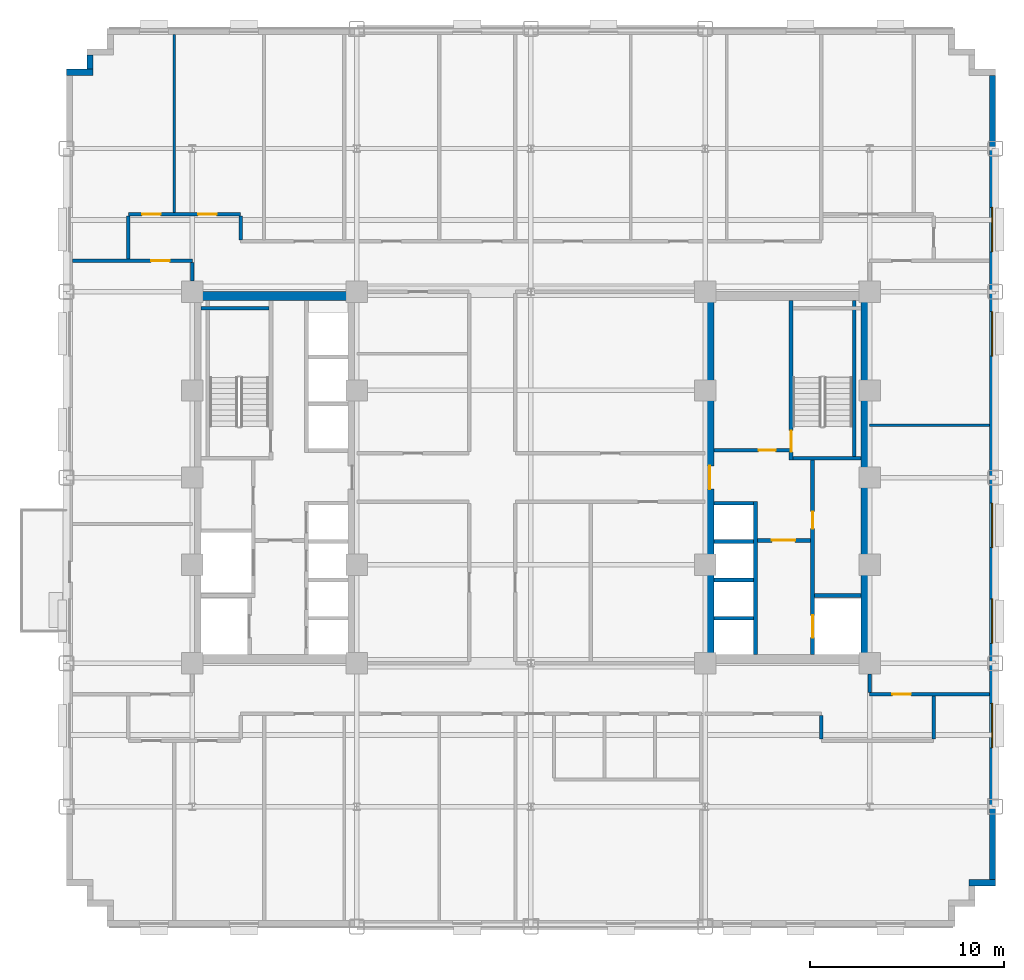
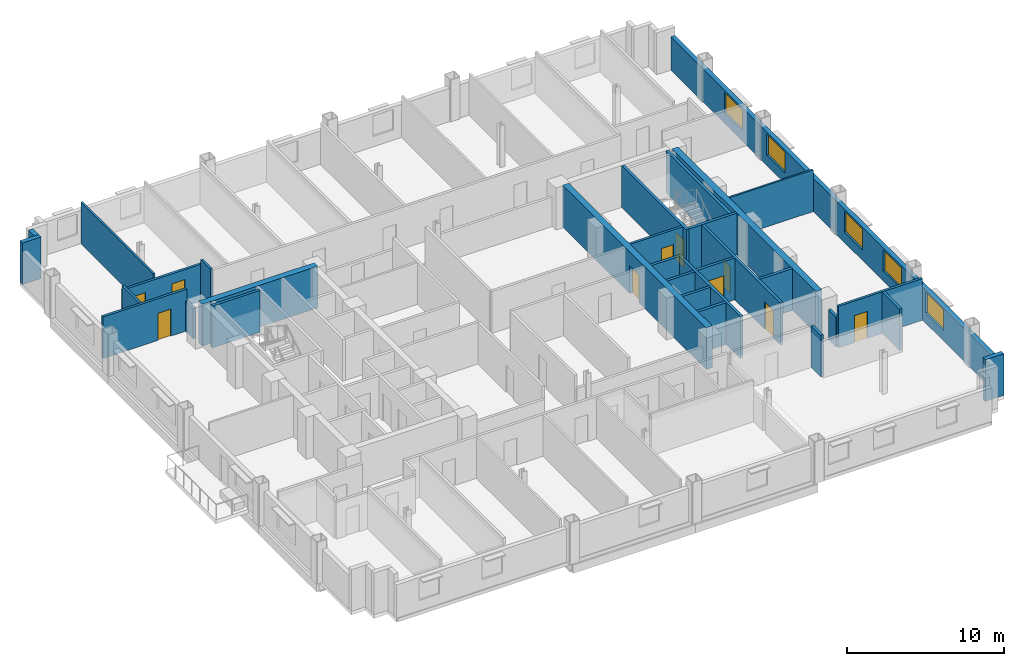
# One storey, part 8 of 14: 31 walls, 10 doors, 5 windows, 15 openings.
"""IFC4 building model written with IfcOpenShell, lengths in metres."""

from ifc_helpers import new_model, si_unit, direction, frame, frame_2d, origin, place, context, subcontext, project, spatial, rectangle, extrude, source, transform, mapped, material, layer, layer_set, type_object, type_shapes, element, fill, save


model = new_model("IFC4")

# Units and contexts
model_context = context("Model", 3, precision=1e-05, world=origin(), true_north=direction((0.0, 1.0)))
body_context = subcontext(model_context, "Body", "Model", "MODEL_VIEW")
ifc_project = project(units=[si_unit("LENGTHUNIT", "METRE"), si_unit("AREAUNIT", "SQUARE_METRE"), si_unit("VOLUMEUNIT", "CUBIC_METRE"), si_unit("PLANEANGLEUNIT", "RADIAN"), si_unit("MASSUNIT", "GRAM", prefix="KILO")], contexts=[model_context])

# Site, building, storey
site_placement = place(None, origin())
site = spatial("IfcSite", under=ifc_project, at=site_placement, CompositionType="ELEMENT")
building_placement = place(site_placement, origin())
building = spatial("IfcBuilding", under=site, at=building_placement, Name="Nuvemarco Arch Tower", CompositionType="ELEMENT")
storey_placement = place(building_placement, frame((0.0, 0.0, 89.64990234375)))
storey = spatial("IfcBuildingStorey", under=building, at=storey_placement, Name="L23", CompositionType="ELEMENT", Elevation=89.64990234375)

# Wall
ifc_material_1 = material(Name="Precast concrete C45/55", Category="concrete")
ifc_layer_1 = layer(ifc_material_1, 0.320068359375, Name="EW-MID-320")
ifc_layer_set_1 = layer_set([ifc_layer_1], Name="Precast concrete C45/55")
wall_type_1 = type_object("IfcWallType", Name="EW-MID-320", PredefinedType="STANDARD", material=ifc_layer_set_1)
wall_1_placement = place(storey_placement, frame((22.6298828125, -20.93994140625, 0.0), z_axis=(0.0, 0.0, 1.0), x_axis=(1.0, 0.0, 0.0)))
element("IfcWall", 1, at=wall_1_placement, inside=storey, type_object=wall_type_1, Name="L23 exterior precast facade wall 5", PredefinedType="STANDARD", context=body_context, shape_type="SweptSolid", body=[
    extrude(rectangle(XDim=1.3701171875, YDim=0.320068359375, at=frame_2d((0.68505859375, 0.0))), origin(), (0.0, 0.0, 1.0), 3.239990234375),
])

# Wall, openings, windows
wall_2_placement = place(storey_placement, frame((23.840087890625, -20.783935546875, 0.0), z_axis=(0.0, 0.0, 1.0), x_axis=(0.0, 1.0, 0.0)))
wall_2 = element("IfcWall", 2, at=wall_2_placement, inside=storey, type_object=wall_type_1, Name="L23 exterior precast facade wall 6", PredefinedType="STANDARD", context=body_context, shape_type="SweptSolid", body=[
    extrude(rectangle(XDim=41.56787109375, YDim=0.320068359375, at=frame_2d((20.783935546875, 0.0))), origin(), (0.0, 0.0, 1.0), 2.585205078125),
])
opening_1_placement = place(wall_2_placement, frame((6.819091796875, 0.0, 0.800048828125)))
opening_1 = element("IfcOpeningElement", 3, at=opening_1_placement, cuts=wall_2, Name="Opening WN-10", PredefinedType="OPENING", context=body_context, shape_type="SweptSolid", body=[
    extrude(rectangle(XDim=2.300048828125, YDim=1.6201171875, at=frame_2d((1.14990234375, 0.81005859375))), frame((0.0, 0.169921875, 0.0), z_axis=(0.0, -1.0, 0.0), x_axis=(1.0, 0.0, 0.0)), (0.0, 0.0, 1.0), 0.340087890625),
])
opening_2_placement = place(wall_2_placement, frame((12.215087890625, 0.0, 0.800048828125)))
opening_2 = element("IfcOpeningElement", 4, at=opening_2_placement, cuts=wall_2, Name="Opening WN-10", PredefinedType="OPENING", context=body_context, shape_type="SweptSolid", body=[
    extrude(rectangle(XDim=2.300048828125, YDim=1.6201171875, at=frame_2d((1.14990234375, 0.81005859375))), frame((0.0, 0.169921875, 0.0), z_axis=(0.0, -1.0, 0.0), x_axis=(1.0, 0.0, 0.0)), (0.0, 0.0, 1.0), 0.340087890625),
])
opening_3_placement = place(wall_2_placement, frame((17.160888671875, 0.0, 0.800048828125)))
opening_3 = element("IfcOpeningElement", 5, at=opening_3_placement, cuts=wall_2, Name="Opening WN-10", PredefinedType="OPENING", context=body_context, shape_type="SweptSolid", body=[
    extrude(rectangle(XDim=2.300048828125, YDim=1.6201171875, at=frame_2d((1.14990234375, 0.81005859375))), frame((0.0, 0.169921875, 0.0), z_axis=(0.0, -1.0, 0.0), x_axis=(1.0, 0.0, 0.0)), (0.0, 0.0, 1.0), 0.340087890625),
])
opening_4_placement = place(wall_2_placement, frame((27.052978515625, 0.0, 0.800048828125)))
opening_4 = element("IfcOpeningElement", 6, at=opening_4_placement, cuts=wall_2, Name="Opening WN-10", PredefinedType="OPENING", context=body_context, shape_type="SweptSolid", body=[
    extrude(rectangle(XDim=2.300048828125, YDim=1.6201171875, at=frame_2d((1.14990234375, 0.81005859375))), frame((0.0, 0.169921875, 0.0), z_axis=(0.0, -1.0, 0.0), x_axis=(1.0, 0.0, 0.0)), (0.0, 0.0, 1.0), 0.340087890625),
])
opening_5_placement = place(wall_2_placement, frame((32.448974609375, 0.0, 0.800048828125)))
opening_5 = element("IfcOpeningElement", 7, at=opening_5_placement, cuts=wall_2, Name="Opening WN-10", PredefinedType="OPENING", context=body_context, shape_type="SweptSolid", body=[
    extrude(rectangle(XDim=2.300048828125, YDim=1.6201171875, at=frame_2d((1.14990234375, 0.81005859375))), frame((0.0, 0.169921875, 0.0), z_axis=(0.0, -1.0, 0.0), x_axis=(1.0, 0.0, 0.0)), (0.0, 0.0, 1.0), 0.340087890625),
])
ifc_material_2 = material(Name="Insulated solar-control glass", Category="glass")
window_type = type_object("IfcWindowType", Name="WN-STEP-2300x1700", PartitioningType="DOUBLE_PANEL_VERTICAL", PredefinedType="WINDOW", material=ifc_material_2)
shared_shape_1 = source(origin(), body_context, "Body", "SweptSolid", [
    extrude(rectangle(XDim=2.300048828125, YDim=1.6201171875, at=frame_2d((1.14990234375, 0.81005859375))), frame((0.0, 0.030029296875, 0.0), z_axis=(0.0, -1.0, 0.0), x_axis=(1.0, 0.0, 0.0)), (0.0, 0.0, 1.0), 0.06005859375),
])
type_shapes(window_type, [shared_shape_1])
window_1_placement = place(opening_1_placement, origin())
window_1 = element("IfcWindow", 8, at=window_1_placement, inside=storey, type_object=window_type, Name="L23 punched facade window 2", OverallHeight=1.6201171875, OverallWidth=2.300048828125, PartitioningType="SINGLE_PANEL", PredefinedType="WINDOW", context=body_context, shape_type="MappedRepresentation", body=[
    mapped(shared_shape_1, transform((0.0, 0.0, 0.0), scale=1.0)),
])
fill(opening_1, window_1)
window_2_placement = place(opening_2_placement, origin())
window_2 = element("IfcWindow", 9, at=window_2_placement, inside=storey, type_object=window_type, Name="L23 punched facade window 3", OverallHeight=1.6201171875, OverallWidth=2.300048828125, PartitioningType="SINGLE_PANEL", PredefinedType="WINDOW", context=body_context, shape_type="MappedRepresentation", body=[
    mapped(shared_shape_1, transform((0.0, 0.0, 0.0), scale=1.0)),
])
fill(opening_2, window_2)
window_3_placement = place(opening_3_placement, origin())
window_3 = element("IfcWindow", 10, at=window_3_placement, inside=storey, type_object=window_type, Name="L23 punched facade window 4", OverallHeight=1.6201171875, OverallWidth=2.300048828125, PartitioningType="SINGLE_PANEL", PredefinedType="WINDOW", context=body_context, shape_type="MappedRepresentation", body=[
    mapped(shared_shape_1, transform((0.0, 0.0, 0.0), scale=1.0)),
])
fill(opening_3, window_3)
window_4_placement = place(opening_4_placement, origin())
window_4 = element("IfcWindow", 11, at=window_4_placement, inside=storey, type_object=window_type, Name="L23 punched facade window 6", OverallHeight=1.6201171875, OverallWidth=2.300048828125, PartitioningType="SINGLE_PANEL", PredefinedType="WINDOW", context=body_context, shape_type="MappedRepresentation", body=[
    mapped(shared_shape_1, transform((0.0, 0.0, 0.0), scale=1.0)),
])
fill(opening_4, window_4)
window_5_placement = place(opening_5_placement, origin())
window_5 = element("IfcWindow", 12, at=window_5_placement, inside=storey, type_object=window_type, Name="L23 punched facade window 7", OverallHeight=1.6201171875, OverallWidth=2.300048828125, PartitioningType="SINGLE_PANEL", PredefinedType="WINDOW", context=body_context, shape_type="MappedRepresentation", body=[
    mapped(shared_shape_1, transform((0.0, 0.0, 0.0), scale=1.0)),
])
fill(opening_5, window_5)

# Walls
wall_3_placement = place(storey_placement, frame((-22.7900390625, 21.095947265625, 0.0), z_axis=(0.0, 0.0, 1.0), x_axis=(0.0, 1.0, 0.0)))
element("IfcWall", 13, at=wall_3_placement, inside=storey, type_object=wall_type_1, Name="L23 exterior precast facade wall 14", PredefinedType="STANDARD", context=body_context, shape_type="SweptSolid", body=[
    extrude(rectangle(XDim=0.738037109375, YDim=0.320068359375, at=frame_2d((0.369140625, 0.0))), origin(), (0.0, 0.0, 1.0), 3.239990234375),
])
wall_4_placement = place(storey_placement, frame((-24.0, 20.93994140625, 0.0), z_axis=(0.0, 0.0, 1.0), x_axis=(1.0, 0.0, 0.0)))
element("IfcWall", 14, at=wall_4_placement, inside=storey, type_object=wall_type_1, Name="L23 exterior precast facade wall 15", PredefinedType="STANDARD", context=body_context, shape_type="SweptSolid", body=[
    extrude(rectangle(XDim=1.3701171875, YDim=0.320068359375, at=frame_2d((0.68505859375, 0.0))), origin(), (0.0, 0.0, 1.0), 3.239990234375),
])
ifc_material_3 = material(Name="Concrete C60/75", Category="concrete")
ifc_layer_2 = layer(ifc_material_3, 0.449951171875, Name="WL-CORE-450")
ifc_layer_set_2 = layer_set([ifc_layer_2], Name="Concrete C60/75")
wall_type_2 = type_object("IfcWallType", Name="WL-CORE-450", PredefinedType="SHEAR", material=ifc_layer_set_2)
wall_5_placement = place(storey_placement, frame((-17.5, 9.375, 0.0), z_axis=(0.0, 0.0, 1.0), x_axis=(1.0, 0.0, 0.0)))
element("IfcWall", 15, at=wall_5_placement, inside=storey, type_object=wall_type_2, Name="L23 W-core shear wall N", PredefinedType="SHEAR", context=body_context, shape_type="SweptSolid", body=[
    extrude(rectangle(XDim=8.5, YDim=0.449951171875, at=frame_2d((4.25, 0.0))), origin(), (0.0, 0.0, 1.0), 3.25),
])

# Wall, opening, door
wall_6_placement = place(storey_placement, frame((9.22509765625, -9.155029296875, 0.0), z_axis=(0.0, 0.0, 1.0), x_axis=(0.0, 1.0, 0.0)))
wall_6 = element("IfcWall", 16, at=wall_6_placement, inside=storey, type_object=wall_type_2, Name="L23 E-core shear wall W", PredefinedType="SHEAR", context=body_context, shape_type="SweptSolid", body=[
    extrude(rectangle(XDim=18.31005859375, YDim=0.449951171875, at=frame_2d((9.155029296875, 0.0))), origin(), (0.0, 0.0, 1.0), 3.25),
])
opening_6_placement = place(wall_6_placement, frame((8.554931640625, 0.0, 0.0)))
opening_6 = element("IfcOpeningElement", 17, at=opening_6_placement, cuts=wall_6, Name="Opening FD-2", PredefinedType="OPENING", context=body_context, shape_type="SweptSolid", body=[
    extrude(rectangle(XDim=1.199951171875, YDim=2.14990234375, at=frame_2d((0.60009765625, 1.074951171875))), frame((0.0, 0.23486328125, 0.0), z_axis=(0.0, -1.0, 0.0), x_axis=(1.0, 0.0, 0.0)), (0.0, 0.0, 1.0), 0.469970703125),
])
ifc_material_4 = material(Name="Anodised steel fire door", Category="steel")
door_type_1 = type_object("IfcDoorType", Name="DR-FFLOB-FD", OperationType="NOTDEFINED", PredefinedType="DOOR", material=ifc_material_4)
shared_shape_2 = source(origin(), body_context, "Body", "SweptSolid", [
    extrude(rectangle(XDim=1.199951171875, YDim=2.14990234375, at=frame_2d((0.60009765625, 1.074951171875))), frame((0.0, 0.02490234375, 0.0), z_axis=(0.0, -1.0, 0.0), x_axis=(1.0, 0.0, 0.0)), (0.0, 0.0, 1.0), 0.050048828125),
])
type_shapes(door_type_1, [shared_shape_2])
door_1_placement = place(opening_6_placement, origin())
door_1 = element("IfcDoor", 18, at=door_1_placement, inside=storey, type_object=door_type_1, Name="L23 door FD-L23-ECORE-W", OperationType="SINGLE_SWING_RIGHT", OverallHeight=2.14990234375, OverallWidth=1.199951171875, PredefinedType="DOOR", context=body_context, shape_type="MappedRepresentation", body=[
    mapped(shared_shape_2, transform((0.0, 0.0, 0.0), scale=1.0)),
])
fill(opening_6, door_1)

# Wall
wall_7_placement = place(storey_placement, frame((17.27490234375, -9.155029296875, 0.0), z_axis=(0.0, 0.0, 1.0), x_axis=(0.0, 1.0, 0.0)))
element("IfcWall", 19, at=wall_7_placement, inside=storey, type_object=wall_type_2, Name="L23 E-core shear wall E", PredefinedType="SHEAR", context=body_context, shape_type="SweptSolid", body=[
    extrude(rectangle(XDim=18.31005859375, YDim=0.449951171875, at=frame_2d((9.155029296875, 0.0))), origin(), (0.0, 0.0, 1.0), 3.25),
])

# Wall, opening, door
ifc_material_5 = material(Name="Fire-rated gypsum drywall partition")
ifc_layer_3 = layer(ifc_material_5, 0.179931640625, Name="WL-CORR-180")
ifc_layer_set_3 = layer_set([ifc_layer_3], Name="Fire-rated gypsum drywall partition")
wall_type_3 = type_object("IfcWallType", Name="WL-CORR-180", PredefinedType="PARTITIONING", material=ifc_layer_set_3)
wall_8_placement = place(storey_placement, frame((9.445068359375, 1.39990234375, 0.0), z_axis=(0.0, 0.0, 1.0), x_axis=(1.0, 0.0, 0.0)))
wall_8 = element("IfcWall", 20, at=wall_8_placement, inside=storey, type_object=wall_type_3, Name="L23 interior wall IW-L23-EK-S", PredefinedType="PARTITIONING", context=body_context, shape_type="SweptSolid", body=[
    extrude(rectangle(XDim=3.89990234375, YDim=0.179931640625, at=frame_2d((1.949951171875, 0.0))), origin(), (0.0, 0.0, 1.0), 3.239990234375),
])
opening_7_placement = place(wall_8_placement, frame((2.31494140625, 0.0, 0.0)))
opening_7 = element("IfcOpeningElement", 21, at=opening_7_placement, cuts=wall_8, Name="Opening FD-4", PredefinedType="OPENING", context=body_context, shape_type="SweptSolid", body=[
    extrude(rectangle(XDim=0.8798828125, YDim=2.10009765625, at=frame_2d((0.43994140625, 1.050048828125))), frame((0.0, 0.099853515625, 0.0), z_axis=(0.0, -1.0, 0.0), x_axis=(1.0, 0.0, 0.0)), (0.0, 0.0, 1.0), 0.199951171875),
])
door_type_2 = type_object("IfcDoorType", Name="DR-RISER-FD", OperationType="NOTDEFINED", PredefinedType="DOOR", material=ifc_material_4)
shared_shape_3 = source(origin(), body_context, "Body", "SweptSolid", [
    extrude(rectangle(XDim=0.8798828125, YDim=2.10009765625, at=frame_2d((0.43994140625, 1.050048828125))), frame((0.0, 0.02490234375, 0.0), z_axis=(0.0, -1.0, 0.0), x_axis=(1.0, 0.0, 0.0)), (0.0, 0.0, 1.0), 0.050048828125),
])
type_shapes(door_type_2, [shared_shape_3])
door_2_placement = place(opening_7_placement, origin())
door_2 = element("IfcDoor", 22, at=door_2_placement, inside=storey, type_object=door_type_2, Name="L23 door FD-L23-EK1A", OperationType="SINGLE_SWING_LEFT", OverallHeight=2.10009765625, OverallWidth=0.8798828125, PredefinedType="DOOR", context=body_context, shape_type="MappedRepresentation", body=[
    mapped(shared_shape_3, transform((0.0, 0.0, 0.0), scale=1.0)),
])
fill(opening_7, door_2)

wall_9_placement = place(storey_placement, frame((17.5, -11.199951171875, 0.0), z_axis=(0.0, 0.0, 1.0), x_axis=(1.0, 0.0, 0.0)))
wall_9 = element("IfcWall", 23, at=wall_9_placement, inside=storey, type_object=wall_type_3, Name="L23 interior wall IW-L23-007", PredefinedType="PARTITIONING", context=body_context, shape_type="SweptSolid", body=[
    extrude(rectangle(XDim=6.179931640625, YDim=0.179931640625, at=frame_2d((3.08984375, 0.0))), origin(), (0.0, 0.0, 1.0), 3.239990234375),
])
opening_8_placement = place(wall_9_placement, frame((1.169921875, 0.0, 0.0)))
opening_8 = element("IfcOpeningElement", 24, at=opening_8_placement, cuts=wall_9, Name="Opening FD-5", PredefinedType="OPENING", context=body_context, shape_type="SweptSolid", body=[
    extrude(rectangle(XDim=0.9599609375, YDim=2.10009765625, at=frame_2d((0.47998046875, 1.050048828125))), frame((0.0, 0.099853515625, 0.0), z_axis=(0.0, -1.0, 0.0), x_axis=(1.0, 0.0, 0.0)), (0.0, 0.0, 1.0), 0.199951171875),
])
ifc_material_6 = material(Name="Timber fire door", Category="wood")
door_type_3 = type_object("IfcDoorType", Name="DR-CORR-FD", OperationType="NOTDEFINED", PredefinedType="DOOR", material=ifc_material_6)
shared_shape_4 = source(origin(), body_context, "Body", "SweptSolid", [
    extrude(rectangle(XDim=0.9599609375, YDim=2.10009765625, at=frame_2d((0.47998046875, 1.050048828125))), frame((0.0, 0.02490234375, 0.0), z_axis=(0.0, -1.0, 0.0), x_axis=(1.0, 0.0, 0.0)), (0.0, 0.0, 1.0), 0.050048828125),
])
type_shapes(door_type_3, [shared_shape_4])
door_3_placement = place(opening_8_placement, origin())
door_3 = element("IfcDoor", 25, at=door_3_placement, inside=storey, type_object=door_type_3, Name="L23 door DR-L23-E_1", OperationType="SINGLE_SWING_LEFT", OverallHeight=2.10009765625, OverallWidth=0.9599609375, PredefinedType="DOOR", context=body_context, shape_type="MappedRepresentation", body=[
    mapped(shared_shape_4, transform((0.0, 0.0, 0.0), scale=1.0)),
])
fill(opening_8, door_3)

wall_10_placement = place(storey_placement, frame((-23.679931640625, 11.199951171875, 0.0), z_axis=(0.0, 0.0, 1.0), x_axis=(1.0, 0.0, 0.0)))
wall_10 = element("IfcWall", 26, at=wall_10_placement, inside=storey, type_object=wall_type_3, Name="L23 interior wall IW-L23-021", PredefinedType="PARTITIONING", context=body_context, shape_type="SweptSolid", body=[
    extrude(rectangle(XDim=6.179931640625, YDim=0.179931640625, at=frame_2d((3.08984375, 0.0))), origin(), (0.0, 0.0, 1.0), 3.239990234375),
])
opening_9_placement = place(wall_10_placement, frame((4.050048828125, 0.0, 0.0)))
opening_9 = element("IfcOpeningElement", 27, at=opening_9_placement, cuts=wall_10, Name="Opening FD-5", PredefinedType="OPENING", context=body_context, shape_type="SweptSolid", body=[
    extrude(rectangle(XDim=0.9599609375, YDim=2.10009765625, at=frame_2d((0.47998046875, 1.050048828125))), frame((0.0, 0.099853515625, 0.0), z_axis=(0.0, -1.0, 0.0), x_axis=(1.0, 0.0, 0.0)), (0.0, 0.0, 1.0), 0.199951171875),
])
door_4_placement = place(opening_9_placement, origin())
door_4 = element("IfcDoor", 28, at=door_4_placement, inside=storey, type_object=door_type_3, Name="L23 door DR-L23-W_2", OperationType="SINGLE_SWING_RIGHT", OverallHeight=2.10009765625, OverallWidth=0.9599609375, PredefinedType="DOOR", context=body_context, shape_type="MappedRepresentation", body=[
    mapped(shared_shape_4, transform((0.0, 0.0, 0.0), scale=1.0)),
])
fill(opening_9, door_4)

# Wall, openings, doors
wall_11_placement = place(storey_placement, frame((-20.800048828125, 13.60009765625, 0.0), z_axis=(0.0, 0.0, 1.0), x_axis=(1.0, 0.0, 0.0)))
wall_11 = element("IfcWall", 29, at=wall_11_placement, inside=storey, type_object=wall_type_3, Name="L23 interior wall IW-L23-024", PredefinedType="PARTITIONING", context=body_context, shape_type="SweptSolid", body=[
    extrude(rectangle(XDim=5.800048828125, YDim=0.179931640625, at=frame_2d((2.89990234375, 0.0))), origin(), (0.0, 0.0, 1.0), 2.878173828125),
])
opening_10_placement = place(wall_11_placement, frame((3.60498046875, 0.0, 0.0)))
opening_10 = element("IfcOpeningElement", 30, at=opening_10_placement, cuts=wall_11, Name="Opening FD-5", PredefinedType="OPENING", context=body_context, shape_type="SweptSolid", body=[
    extrude(rectangle(XDim=0.9599609375, YDim=2.10009765625, at=frame_2d((0.47998046875, 1.050048828125))), frame((0.0, 0.099853515625, 0.0), z_axis=(0.0, -1.0, 0.0), x_axis=(1.0, 0.0, 0.0)), (0.0, 0.0, 1.0), 0.199951171875),
])
opening_11_placement = place(wall_11_placement, frame((0.705078125, 0.0, 0.0)))
opening_11 = element("IfcOpeningElement", 31, at=opening_11_placement, cuts=wall_11, Name="Opening FD-5", PredefinedType="OPENING", context=body_context, shape_type="SweptSolid", body=[
    extrude(rectangle(XDim=0.9599609375, YDim=2.10009765625, at=frame_2d((0.47998046875, 1.050048828125))), frame((0.0, 0.099853515625, 0.0), z_axis=(0.0, -1.0, 0.0), x_axis=(1.0, 0.0, 0.0)), (0.0, 0.0, 1.0), 0.199951171875),
])
door_5_placement = place(opening_10_placement, origin())
door_5 = element("IfcDoor", 32, at=door_5_placement, inside=storey, type_object=door_type_3, Name="L23 door DR-L23-N_2", OperationType="SINGLE_SWING_LEFT", OverallHeight=2.10009765625, OverallWidth=0.9599609375, PredefinedType="DOOR", context=body_context, shape_type="MappedRepresentation", body=[
    mapped(shared_shape_4, transform((0.0, 0.0, 0.0), scale=1.0)),
])
fill(opening_10, door_5)
door_6_placement = place(opening_11_placement, origin())
door_6 = element("IfcDoor", 33, at=door_6_placement, inside=storey, type_object=door_type_3, Name="L23 door DR-L23-N_1", OperationType="SINGLE_SWING_RIGHT", OverallHeight=2.10009765625, OverallWidth=0.9599609375, PredefinedType="DOOR", context=body_context, shape_type="MappedRepresentation", body=[
    mapped(shared_shape_4, transform((0.0, 0.0, 0.0), scale=1.0)),
])
fill(opening_11, door_6)

# Walls
wall_12_placement = place(storey_placement, frame((-20.800048828125, 11.285888671875, 0.0), z_axis=(0.0, 0.0, 1.0), x_axis=(0.0, 1.0, 0.0)))
element("IfcWall", 34, at=wall_12_placement, inside=storey, type_object=wall_type_3, Name="L23 interior wall IW-L23-027", PredefinedType="PARTITIONING", context=body_context, shape_type="SweptSolid", body=[
    extrude(rectangle(XDim=2.22802734375, YDim=0.179931640625, at=frame_2d((1.114013671875, 0.0))), origin(), (0.0, 0.0, 1.0), 3.239990234375),
])
wall_13_placement = place(storey_placement, frame((-17.5, 10.14599609375, 0.0), z_axis=(0.0, 0.0, 1.0), x_axis=(0.0, 1.0, 0.0)))
element("IfcWall", 35, at=wall_13_placement, inside=storey, type_object=wall_type_3, Name="L23 interior wall IW-L23-031", PredefinedType="PARTITIONING", context=body_context, shape_type="SweptSolid", body=[
    extrude(rectangle(XDim=0.968017578125, YDim=0.179931640625, at=frame_2d((0.48388671875, 0.0))), origin(), (0.0, 0.0, 1.0), 2.335205078125),
])
for number, where, z_axis, x_axis, name in (
    (36, (-15.0, 12.285888671875, 0.0), (0.0, 0.0, 1.0), (0.0, 1.0, 0.0), "L23 interior wall IW-L23-033"),
    (37, (15.0, -13.513916015625, 0.0), (0.0, 0.0, 1.0), (0.0, 1.0, 0.0), "L23 interior wall IW-L23-054"),
):
    element("IfcWall", number, at=place(storey_placement, frame(where, z_axis=z_axis, x_axis=x_axis)), inside=storey, type_object=wall_type_3, Name=name, PredefinedType="PARTITIONING", context=body_context, shape_type="SweptSolid", body=[
        extrude(rectangle(XDim=1.22802734375, YDim=0.179931640625, at=frame_2d((0.614013671875, 0.0))), origin(), (0.0, 0.0, 1.0), 3.239990234375),
    ])
wall_14_placement = place(storey_placement, frame((17.5, -11.114013671875, 0.0), z_axis=(0.0, 0.0, 1.0), x_axis=(0.0, 1.0, 0.0)))
element("IfcWall", 38, at=wall_14_placement, inside=storey, type_object=wall_type_3, Name="L23 interior wall IW-L23-056", PredefinedType="PARTITIONING", context=body_context, shape_type="SweptSolid", body=[
    extrude(rectangle(XDim=0.968017578125, YDim=0.179931640625, at=frame_2d((0.48388671875, 0.0))), origin(), (0.0, 0.0, 1.0), 2.335205078125),
])
wall_15_placement = place(storey_placement, frame((20.800048828125, -13.513916015625, 0.0), z_axis=(0.0, 0.0, 1.0), x_axis=(0.0, 1.0, 0.0)))
element("IfcWall", 39, at=wall_15_placement, inside=storey, type_object=wall_type_3, Name="L23 interior wall IW-L23-059", PredefinedType="PARTITIONING", context=body_context, shape_type="SweptSolid", body=[
    extrude(rectangle(XDim=2.22802734375, YDim=0.179931640625, at=frame_2d((1.114013671875, 0.0))), origin(), (0.0, 0.0, 1.0), 3.239990234375),
])
ifc_material_7 = material(Name="Glazed acoustic office partition")
ifc_layer_4 = layer(ifc_material_7, 0.1298828125, Name="WL-EXEC-130")
ifc_layer_set_4 = layer_set([ifc_layer_4], Name="Glazed acoustic office partition")
wall_type_4 = type_object("IfcWallType", Name="WL-EXEC-130", PredefinedType="PARTITIONING", material=ifc_layer_set_4)
wall_16_placement = place(storey_placement, frame((17.5, 2.699951171875, 0.0), z_axis=(0.0, 0.0, 1.0), x_axis=(1.0, 0.0, 0.0)))
element("IfcWall", 40, at=wall_16_placement, inside=storey, type_object=wall_type_4, Name="L23 interior wall IW-L23-016", PredefinedType="PARTITIONING", context=body_context, shape_type="SweptSolid", body=[
    extrude(rectangle(XDim=6.179931640625, YDim=0.1298828125, at=frame_2d((3.08984375, 0.0))), origin(), (0.0, 0.0, 1.0), 3.239990234375),
])
ifc_material_8 = material(Name="Gypsum plasterboard partition")
ifc_layer_5 = layer(ifc_material_8, 0.139892578125, Name="WL-ROOM-140")
ifc_layer_set_5 = layer_set([ifc_layer_5], Name="Gypsum plasterboard partition")
wall_type_5 = type_object("IfcWallType", Name="WL-ROOM-140", PredefinedType="PARTITIONING", material=ifc_layer_set_5)
wall_17_placement = place(storey_placement, frame((-18.429931640625, 13.68603515625, 0.0), z_axis=(0.0, 0.0, 1.0), x_axis=(0.0, 1.0, 0.0)))
element("IfcWall", 41, at=wall_17_placement, inside=storey, type_object=wall_type_5, Name="L23 interior wall IW-L23-029", PredefinedType="PARTITIONING", context=body_context, shape_type="SweptSolid", body=[
    extrude(rectangle(XDim=9.19384765625, YDim=0.139892578125, at=frame_2d((4.596923828125, 0.0))), origin(), (0.0, 0.0, 1.0), 3.239990234375),
])
ifc_material_9 = material(Name="Concrete C50/60", Category="concrete")
ifc_layer_6 = layer(ifc_material_9, 0.199951171875, Name="WL-SHAFT-220")
ifc_layer_set_6 = layer_set([ifc_layer_6], Name="Concrete C50/60")
wall_type_6 = type_object("IfcWallType", Name="WL-SHAFT-220", PredefinedType="SHEAR", material=ifc_layer_set_6)
wall_18_placement = place(storey_placement, frame((-17.054931640625, 8.75, 0.0), z_axis=(0.0, 0.0, 1.0), x_axis=(1.0, 0.0, 0.0)))
element("IfcWall", 42, at=wall_18_placement, inside=storey, type_object=wall_type_6, Name="L23 structural shaft wall SW-L23-W-ST1N", PredefinedType="SHEAR", context=body_context, shape_type="SweptSolid", body=[
    extrude(rectangle(XDim=3.52001953125, YDim=0.199951171875, at=frame_2d((1.760009765625, 0.0))), origin(), (0.0, 0.0, 1.0), 3.25),
])

# Wall, opening, door
wall_19_placement = place(storey_placement, frame((13.43994140625, 0.89990234375, 0.0), z_axis=(0.0, 0.0, 1.0), x_axis=(0.0, 1.0, 0.0)))
wall_19 = element("IfcWall", 43, at=wall_19_placement, inside=storey, type_object=wall_type_6, Name="L23 structural shaft wall SW-L23-E-ST2W", PredefinedType="SHEAR", context=body_context, shape_type="SweptSolid", body=[
    extrude(rectangle(XDim=8.255126953125, YDim=0.199951171875, at=frame_2d((4.12744140625, 0.0))), origin(), (0.0, 0.0, 1.0), 3.25),
])
opening_12_placement = place(wall_19_placement, frame((0.429931640625, 0.0, 0.0)))
opening_12 = element("IfcOpeningElement", 44, at=opening_12_placement, cuts=wall_19, Name="Opening FD-1", PredefinedType="OPENING", context=body_context, shape_type="SweptSolid", body=[
    extrude(rectangle(XDim=1.10009765625, YDim=2.14990234375, at=frame_2d((0.550048828125, 1.074951171875))), frame((0.0, 0.10986328125, 0.0), z_axis=(0.0, -1.0, 0.0), x_axis=(1.0, 0.0, 0.0)), (0.0, 0.0, 1.0), 0.219970703125),
])
door_type_4 = type_object("IfcDoorType", Name="DR-STAIR-FD", OperationType="NOTDEFINED", PredefinedType="DOOR", material=ifc_material_4)
shared_shape_5 = source(origin(), body_context, "Body", "SweptSolid", [
    extrude(rectangle(XDim=1.10009765625, YDim=2.14990234375, at=frame_2d((0.550048828125, 1.074951171875))), frame((0.0, 0.02490234375, 0.0), z_axis=(0.0, -1.0, 0.0), x_axis=(1.0, 0.0, 0.0)), (0.0, 0.0, 1.0), 0.050048828125),
])
type_shapes(door_type_4, [shared_shape_5])
door_7_placement = place(opening_12_placement, origin())
door_7 = element("IfcDoor", 45, at=door_7_placement, inside=storey, type_object=door_type_4, Name="L23 door FD-L23-ST2", OperationType="SINGLE_SWING_RIGHT", OverallHeight=2.14990234375, OverallWidth=1.10009765625, PredefinedType="DOOR", context=body_context, shape_type="MappedRepresentation", body=[
    mapped(shared_shape_5, transform((0.0, 0.0, 0.0), scale=1.0)),
])
fill(opening_12, door_7)

# Walls
wall_20_placement = place(storey_placement, frame((13.534912109375, 1.0, 0.0), z_axis=(0.0, 0.0, 1.0), x_axis=(1.0, 0.0, 0.0)))
element("IfcWall", 46, at=wall_20_placement, inside=storey, type_object=wall_type_6, Name="L23 structural shaft wall SW-L23-E-ST2S", PredefinedType="SHEAR", context=body_context, shape_type="SweptSolid", body=[
    extrude(rectangle(XDim=3.52001953125, YDim=0.199951171875, at=frame_2d((1.760009765625, 0.0))), origin(), (0.0, 0.0, 1.0), 3.25),
])
wall_21_placement = place(storey_placement, frame((16.699951171875, 1.094970703125, 0.0), z_axis=(0.0, 0.0, 1.0), x_axis=(0.0, 1.0, 0.0)))
element("IfcWall", 47, at=wall_21_placement, inside=storey, type_object=wall_type_6, Name="L23 structural shaft wall SW-L23-E-ST2E", PredefinedType="SHEAR", context=body_context, shape_type="SweptSolid", body=[
    extrude(rectangle(XDim=8.06005859375, YDim=0.199951171875, at=frame_2d((4.030029296875, 0.0))), origin(), (0.0, 0.0, 1.0), 3.25),
])

# Wall, openings, doors
wall_22_placement = place(storey_placement, frame((14.550048828125, -9.155029296875, 0.0), z_axis=(0.0, 0.0, 1.0), x_axis=(0.0, 1.0, 0.0)))
wall_22 = element("IfcWall", 48, at=wall_22_placement, inside=storey, type_object=wall_type_6, Name="L23 structural shaft wall SW-L23-E-SHW", PredefinedType="SHEAR", context=body_context, shape_type="SweptSolid", body=[
    extrude(rectangle(XDim=10.06005859375, YDim=0.199951171875, at=frame_2d((5.030029296875, 0.0))), origin(), (0.0, 0.0, 1.0), 3.25),
])
opening_13_placement = place(wall_22_placement, frame((6.514892578125, 0.0, 0.0)))
opening_13 = element("IfcOpeningElement", 49, at=opening_13_placement, cuts=wall_22, Name="Opening FD-4", PredefinedType="OPENING", context=body_context, shape_type="SweptSolid", body=[
    extrude(rectangle(XDim=0.8798828125, YDim=2.10009765625, at=frame_2d((0.43994140625, 1.050048828125))), frame((0.0, 0.10986328125, 0.0), z_axis=(0.0, -1.0, 0.0), x_axis=(1.0, 0.0, 0.0)), (0.0, 0.0, 1.0), 0.219970703125),
])
opening_14_placement = place(wall_22_placement, frame((0.8798828125, 0.0, 0.0)))
opening_14 = element("IfcOpeningElement", 50, at=opening_14_placement, cuts=wall_22, Name="Opening LD-2", PredefinedType="OPENING", context=body_context, shape_type="SweptSolid", body=[
    extrude(rectangle(XDim=1.14990234375, YDim=2.14990234375, at=frame_2d((0.574951171875, 1.074951171875))), frame((0.0, 0.10986328125, 0.0), z_axis=(0.0, -1.0, 0.0), x_axis=(1.0, 0.0, 0.0)), (0.0, 0.0, 1.0), 0.219970703125),
])
door_8_placement = place(opening_13_placement, origin())
door_8 = element("IfcDoor", 51, at=door_8_placement, inside=storey, type_object=door_type_2, Name="L23 door FD-L23-ERIS", OperationType="SINGLE_SWING_RIGHT", OverallHeight=2.10009765625, OverallWidth=0.8798828125, PredefinedType="DOOR", context=body_context, shape_type="MappedRepresentation", body=[
    mapped(shared_shape_3, transform((0.0, 0.0, 0.0), scale=1.0)),
])
fill(opening_13, door_8)
ifc_material_10 = material(Name="Stainless steel lift door", Category="steel")
door_type_5 = type_object("IfcDoorType", Name="DR-LIFT-FIRE", OperationType="DOUBLE_DOOR_SLIDING", PredefinedType="DOOR", material=ifc_material_10)
shared_shape_6 = source(origin(), body_context, "Body", "SweptSolid", [
    extrude(rectangle(XDim=1.14990234375, YDim=2.14990234375, at=frame_2d((0.574951171875, 1.074951171875))), frame((0.0, 0.02490234375, 0.0), z_axis=(0.0, -1.0, 0.0), x_axis=(1.0, 0.0, 0.0)), (0.0, 0.0, 1.0), 0.050048828125),
])
type_shapes(door_type_5, [shared_shape_6])
door_9_placement = place(opening_14_placement, origin())
door_9 = element("IfcDoor", 52, at=door_9_placement, inside=storey, type_object=door_type_5, Name="L23 Lift landing sliding door FFL-2", OperationType="DOUBLE_DOOR_SLIDING", OverallHeight=2.14990234375, OverallWidth=1.14990234375, PredefinedType="DOOR", context=body_context, shape_type="MappedRepresentation", body=[
    mapped(shared_shape_6, transform((0.0, 0.0, 0.0), scale=1.0)),
])
fill(opening_14, door_9)

# Walls
wall_23_placement = place(storey_placement, frame((14.64501953125, -6.10009765625, 0.0), z_axis=(0.0, 0.0, 1.0), x_axis=(1.0, 0.0, 0.0)))
element("IfcWall", 53, at=wall_23_placement, inside=storey, type_object=wall_type_6, Name="L23 structural shaft wall SW-L23-E-SH1", PredefinedType="SHEAR", context=body_context, shape_type="SweptSolid", body=[
    extrude(rectangle(XDim=2.409912109375, YDim=0.199951171875, at=frame_2d((1.205078125, 0.0))), origin(), (0.0, 0.0, 1.0), 3.25),
])
wall_24_placement = place(storey_placement, frame((11.60009765625, -9.155029296875, 0.0), z_axis=(0.0, 0.0, 1.0), x_axis=(0.0, 1.0, 0.0)))
element("IfcWall", 54, at=wall_24_placement, inside=storey, type_object=wall_type_6, Name="L23 structural shaft wall SW-L23-E-PME", PredefinedType="SHEAR", context=body_context, shape_type="SweptSolid", body=[
    extrude(rectangle(XDim=7.925048828125, YDim=0.199951171875, at=frame_2d((3.96240234375, 0.0))), origin(), (0.0, 0.0, 1.0), 3.25),
])

# Wall, opening, door
wall_25_placement = place(storey_placement, frame((11.695068359375, -3.25, 0.0), z_axis=(0.0, 0.0, 1.0), x_axis=(1.0, 0.0, 0.0)))
wall_25 = element("IfcWall", 55, at=wall_25_placement, inside=storey, type_object=wall_type_6, Name="L23 structural shaft wall SW-L23-E-FFN", PredefinedType="SHEAR", context=body_context, shape_type="SweptSolid", body=[
    extrude(rectangle(XDim=2.760009765625, YDim=0.199951171875, at=frame_2d((1.3798828125, 0.0))), origin(), (0.0, 0.0, 1.0), 3.25),
])
opening_15_placement = place(wall_25_placement, frame((0.7548828125, 0.0, 0.0)))
opening_15 = element("IfcOpeningElement", 56, at=opening_15_placement, cuts=wall_25, Name="Opening FD-2", PredefinedType="OPENING", context=body_context, shape_type="SweptSolid", body=[
    extrude(rectangle(XDim=1.199951171875, YDim=2.14990234375, at=frame_2d((0.60009765625, 1.074951171875))), frame((0.0, 0.10986328125, 0.0), z_axis=(0.0, -1.0, 0.0), x_axis=(1.0, 0.0, 0.0)), (0.0, 0.0, 1.0), 0.219970703125),
])
door_10_placement = place(opening_15_placement, origin())
door_10 = element("IfcDoor", 57, at=door_10_placement, inside=storey, type_object=door_type_1, Name="L23 door FD-L23-EFF2", OperationType="SINGLE_SWING_RIGHT", OverallHeight=2.14990234375, OverallWidth=1.199951171875, PredefinedType="DOOR", context=body_context, shape_type="MappedRepresentation", body=[
    mapped(shared_shape_2, transform((0.0, 0.0, 0.0), scale=1.0)),
])
fill(opening_15, door_10)

# Walls
for number, where, z_axis, x_axis, name in (
    (58, (9.445068359375, -7.27001953125, 0.0), (0.0, 0.0, 1.0), (1.0, 0.0, 0.0), "L23 structural shaft wall SW-L23-E-PMD1"),
    (59, (9.445068359375, -5.2900390625, 0.0), (0.0, 0.0, 1.0), (1.0, 0.0, 0.0), "L23 structural shaft wall SW-L23-E-PMD2"),
    (60, (9.445068359375, -3.31005859375, 0.0), (0.0, 0.0, 1.0), (1.0, 0.0, 0.0), "L23 structural shaft wall SW-L23-E-PMD3"),
    (61, (9.445068359375, -1.330078125, 0.0), (0.0, 0.0, 1.0), (1.0, 0.0, 0.0), "L23 structural shaft wall SW-L23-E-PMD4"),
):
    element("IfcWall", number, at=place(storey_placement, frame(where, z_axis=z_axis, x_axis=x_axis)), inside=storey, type_object=wall_type_6, Name=name, PredefinedType="SHEAR", context=body_context, shape_type="SweptSolid", body=[
        extrude(rectangle(XDim=2.059814453125, YDim=0.199951171875, at=frame_2d((1.02978515625, 0.0))), origin(), (0.0, 0.0, 1.0), 3.25),
    ])

save(model, "model.ifc")
